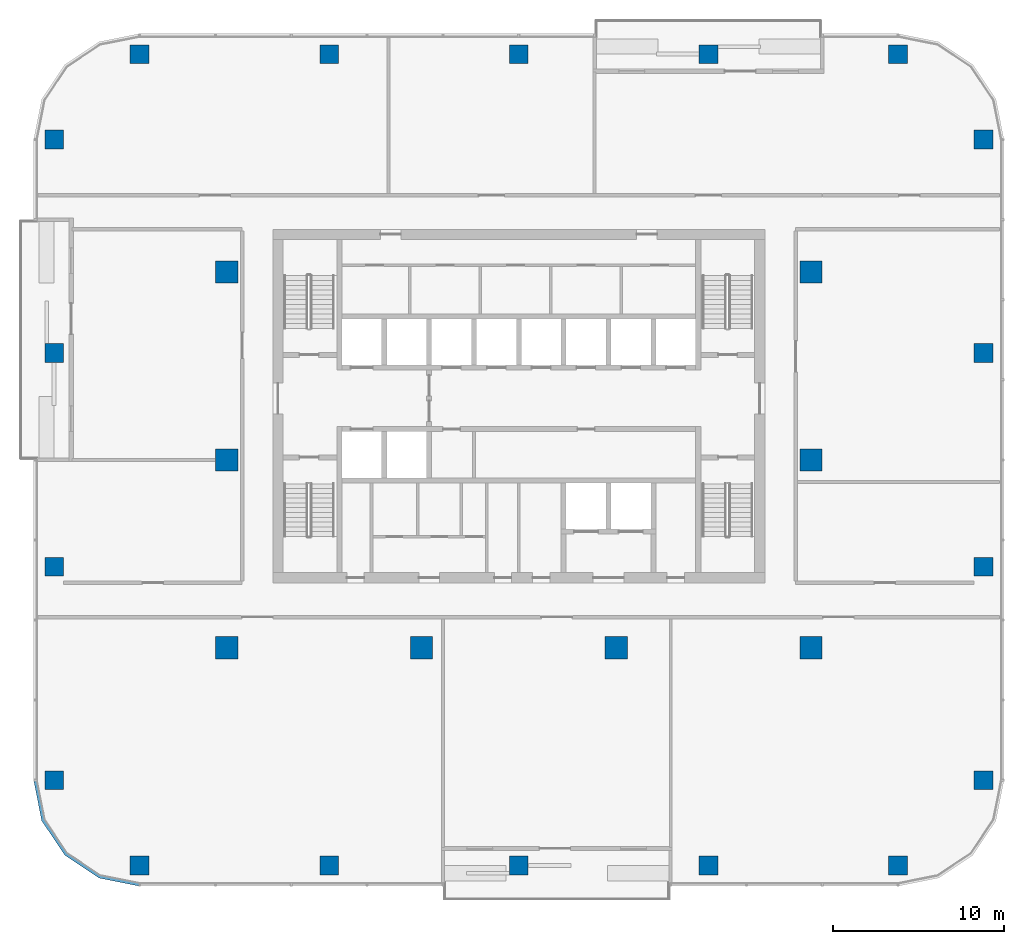
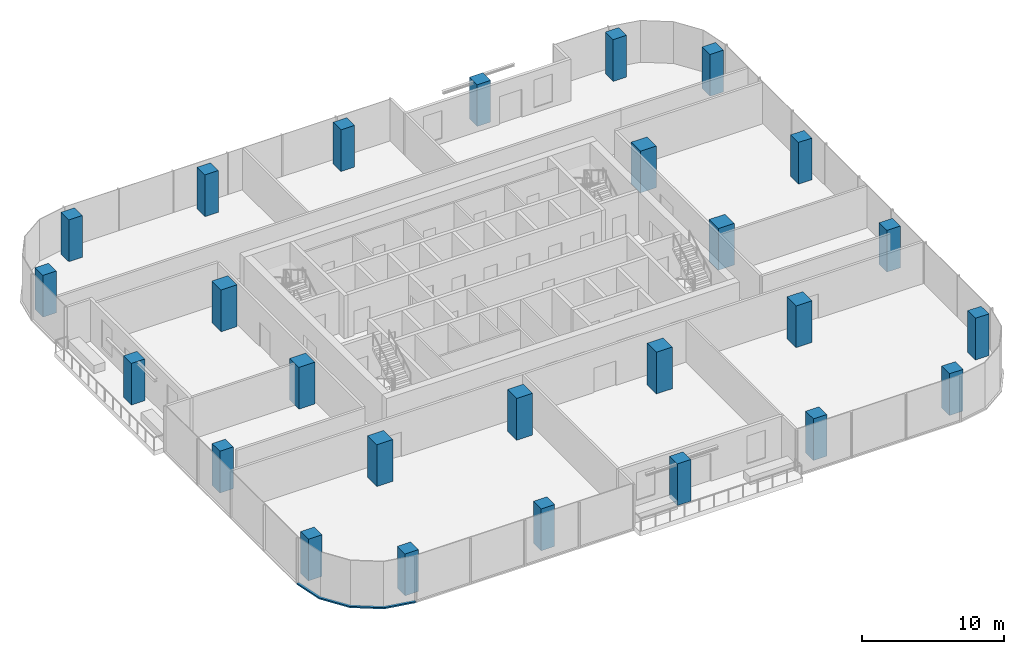
# One storey, part 1 of 14: 26 columns, 1 member, 1 element without a shape of its own.
"""IFC4 building model written with IfcOpenShell, lengths in metres."""

from ifc_helpers import new_model, si_unit, direction, frame, origin, origin_2d, place, context, subcontext, project, spatial, polyline, rectangle, outline, extrude, material, material_profile, profile_set, type_object, element, aggregate, save


model = new_model("IFC4")

# Units and contexts
model_context = context("Model", 3, precision=1e-05, world=origin(), true_north=direction((0.0, 1.0)))
body_context = subcontext(model_context, "Body", "Model", "MODEL_VIEW")
ifc_project = project(units=[si_unit("LENGTHUNIT", "METRE"), si_unit("AREAUNIT", "SQUARE_METRE"), si_unit("VOLUMEUNIT", "CUBIC_METRE"), si_unit("PLANEANGLEUNIT", "RADIAN"), si_unit("MASSUNIT", "GRAM", prefix="KILO")], contexts=[model_context])

# Site, building, storey
site_placement = place(None, origin())
site = spatial("IfcSite", under=ifc_project, at=site_placement, CompositionType="ELEMENT")
building_placement = place(site_placement, origin())
building = spatial("IfcBuilding", under=site, at=building_placement, Name="Mopane Tessera Tower", CompositionType="ELEMENT")
storey_placement = place(building_placement, frame((0.0, 0.0, 243.0)))
storey = spatial("IfcBuildingStorey", under=building, at=storey_placement, Name="L52", CompositionType="ELEMENT", Elevation=243.0)

# Columns
ifc_material_1 = material(Name="Concrete C50/60", Category="concrete")
ifc_material_profile_1 = material_profile(ifc_material_1, rectangle(XDim=1.300048828125, YDim=1.300048828125, at=origin_2d()))
ifc_profile_set_1 = profile_set([ifc_material_profile_1], Name="Concrete C50/60")
column_type_1 = type_object("IfcColumnType", Name="Interior column 1300 x 1300 C50/60", PredefinedType="COLUMN", material=ifc_profile_set_1)
for number, where, z_axis, x_axis, name in (
    (1, (-17.10009765625, -11.0, 0.0), (0.0, 0.0, 1.0), (1.0, 0.0, 0.0), "Interior column I1A L52"),
    (2, (-17.10009765625, 0.0, 0.0), (0.0, 0.0, 1.0), (1.0, 0.0, 0.0), "Interior column I1B L52"),
    (3, (-17.10009765625, 11.0, 0.0), (0.0, 0.0, 1.0), (1.0, 0.0, 0.0), "Interior column I1C L52"),
    (4, (-5.699951171875, -11.0, 0.0), (0.0, 0.0, 1.0), (1.0, 0.0, 0.0), "Interior column I2A L52"),
    (5, (5.699951171875, -11.0, 0.0), (0.0, 0.0, 1.0), (1.0, 0.0, 0.0), "Interior column I3A L52"),
    (6, (17.10009765625, -11.0, 0.0), (0.0, 0.0, 1.0), (1.0, 0.0, 0.0), "Interior column I4A L52"),
    (7, (17.10009765625, 0.0, 0.0), (0.0, 0.0, 1.0), (1.0, 0.0, 0.0), "Interior column I4B L52"),
    (8, (17.10009765625, 11.0, 0.0), (0.0, 0.0, 1.0), (1.0, 0.0, 0.0), "Interior column I4C L52"),
):
    element("IfcColumn", number, at=place(storey_placement, frame(where, z_axis=z_axis, x_axis=x_axis)), inside=storey, type_object=column_type_1, Name=name, PredefinedType="COLUMN", context=body_context, shape_type="SweptSolid", body=[
        extrude(rectangle(XDim=1.300048828125, YDim=1.300048828125, at=origin_2d()), origin(), (0.0, 0.0, 1.0), 3.60009765625),
    ])
ifc_material_2 = material(Name="Concrete C50/60", Category="concrete")
ifc_material_profile_2 = material_profile(ifc_material_2, rectangle(XDim=1.10009765625, YDim=1.10009765625, at=origin_2d()))
ifc_profile_set_2 = profile_set([ifc_material_profile_2], Name="Concrete C50/60")
column_type_2 = type_object("IfcColumnType", Name="Ring column 1100 x 1100 C50/60", PredefinedType="COLUMN", material=ifc_profile_set_2)
for number, where, z_axis, x_axis, name in (
    (9, (-22.199951171875, -23.75, 0.0), (0.0, 0.0, 1.0), (1.0, 0.0, 0.0), "Ring column S0 L52"),
    (10, (-11.10009765625, -23.75, 0.0), (0.0, 0.0, 1.0), (1.0, 0.0, 0.0), "Ring column S1 L52"),
    (11, (0.0, -23.75, 0.0), (0.0, 0.0, 1.0), (1.0, 0.0, 0.0), "Ring column S2 L52"),
    (12, (11.10009765625, -23.75, 0.0), (0.0, 0.0, 1.0), (1.0, 0.0, 0.0), "Ring column S3 L52"),
    (13, (22.199951171875, -23.75, 0.0), (0.0, 0.0, 1.0), (1.0, 0.0, 0.0), "Ring column S4 L52"),
    (14, (27.199951171875, -18.75, 0.0), (0.0, 0.0, 1.0), (1.0, 0.0, 0.0), "Ring column E0 L52"),
    (15, (27.199951171875, -6.25, 0.0), (0.0, 0.0, 1.0), (1.0, 0.0, 0.0), "Ring column E1 L52"),
    (16, (27.199951171875, 6.25, 0.0), (0.0, 0.0, 1.0), (1.0, 0.0, 0.0), "Ring column E2 L52"),
    (17, (27.199951171875, 18.75, 0.0), (0.0, 0.0, 1.0), (1.0, 0.0, 0.0), "Ring column E3 L52"),
    (18, (22.199951171875, 23.75, 0.0), (0.0, 0.0, 1.0), (1.0, 0.0, 0.0), "Ring column N0 L52"),
    (19, (11.10009765625, 23.75, 0.0), (0.0, 0.0, 1.0), (1.0, 0.0, 0.0), "Ring column N1 L52"),
    (20, (0.0, 23.75, 0.0), (0.0, 0.0, 1.0), (1.0, 0.0, 0.0), "Ring column N2 L52"),
    (21, (-11.10009765625, 23.75, 0.0), (0.0, 0.0, 1.0), (1.0, 0.0, 0.0), "Ring column N3 L52"),
    (22, (-22.199951171875, 23.75, 0.0), (0.0, 0.0, 1.0), (1.0, 0.0, 0.0), "Ring column N4 L52"),
    (23, (-27.199951171875, 18.75, 0.0), (0.0, 0.0, 1.0), (1.0, 0.0, 0.0), "Ring column W0 L52"),
    (24, (-27.199951171875, 6.25, 0.0), (0.0, 0.0, 1.0), (1.0, 0.0, 0.0), "Ring column W1 L52"),
    (25, (-27.199951171875, -6.25, 0.0), (0.0, 0.0, 1.0), (1.0, 0.0, 0.0), "Ring column W2 L52"),
    (26, (-27.199951171875, -18.75, 0.0), (0.0, 0.0, 1.0), (1.0, 0.0, 0.0), "Ring column W3 L52"),
):
    element("IfcColumn", number, at=place(storey_placement, frame(where, z_axis=z_axis, x_axis=x_axis)), inside=storey, type_object=column_type_2, Name=name, PredefinedType="COLUMN", context=body_context, shape_type="SweptSolid", body=[
        extrude(rectangle(XDim=1.10009765625, YDim=1.10009765625, at=origin_2d()), origin(), (0.0, 0.0, 1.0), 3.60009765625),
    ])

# Curtain wall, member
ifc_material_3 = material(Name="Aluminium frame", Category="aluminium")
curtain_wall_type = type_object("IfcCurtainWallType", Name="Unitised curtain wall", PredefinedType="NOTDEFINED", material=ifc_material_3)
curtain_wall_placement = place(storey_placement, origin())
curtain_wall = element("IfcCurtainWall", 27, at=curtain_wall_placement, inside=storey, type_object=curtain_wall_type, Name="e:cw:L52:CW", PredefinedType="NOTDEFINED")
ifc_material_4 = material(Name="Aluminium frame", Category="aluminium")
ifc_material_profile_3 = material_profile(ifc_material_4, rectangle(XDim=0.199951171875, YDim=0.1201171875, at=origin_2d()))
ifc_profile_set_3 = profile_set([ifc_material_profile_3], Name="Aluminium frame")
member_type = type_object("IfcMemberType", Name="Aluminium transom 200 x 120", PredefinedType="USERDEFINED", material=ifc_profile_set_3)
member_placement = place(storey_placement, frame((0.0, 0.0, -0.39990234375)))
member = element("IfcMember", 28, at=member_placement, type_object=member_type, Name="e:cw:L52:CW:tr", ObjectType="TRANSOM", PredefinedType="USERDEFINED", context=body_context, shape_type="SweptSolid", body=[
    extrude(outline(polyline([(-28.199951171875, -18.75), (-27.7431640625, -21.046142578125), (-26.442626953125, -22.99267578125), (-24.49609375, -24.293212890625), (-22.199951171875, -24.75), (-22.199951171875, -24.949951171875), (-24.57275390625, -24.47802734375), (-26.583984375, -23.134033203125), (-27.927978515625, -21.12255859375), (-28.39990234375, -18.75), (-28.199951171875, -18.75)])), origin(), (0.0, 0.0, 1.0), 0.119873046875),
])
aggregate(curtain_wall, [member])

save(model, "model.ifc")
